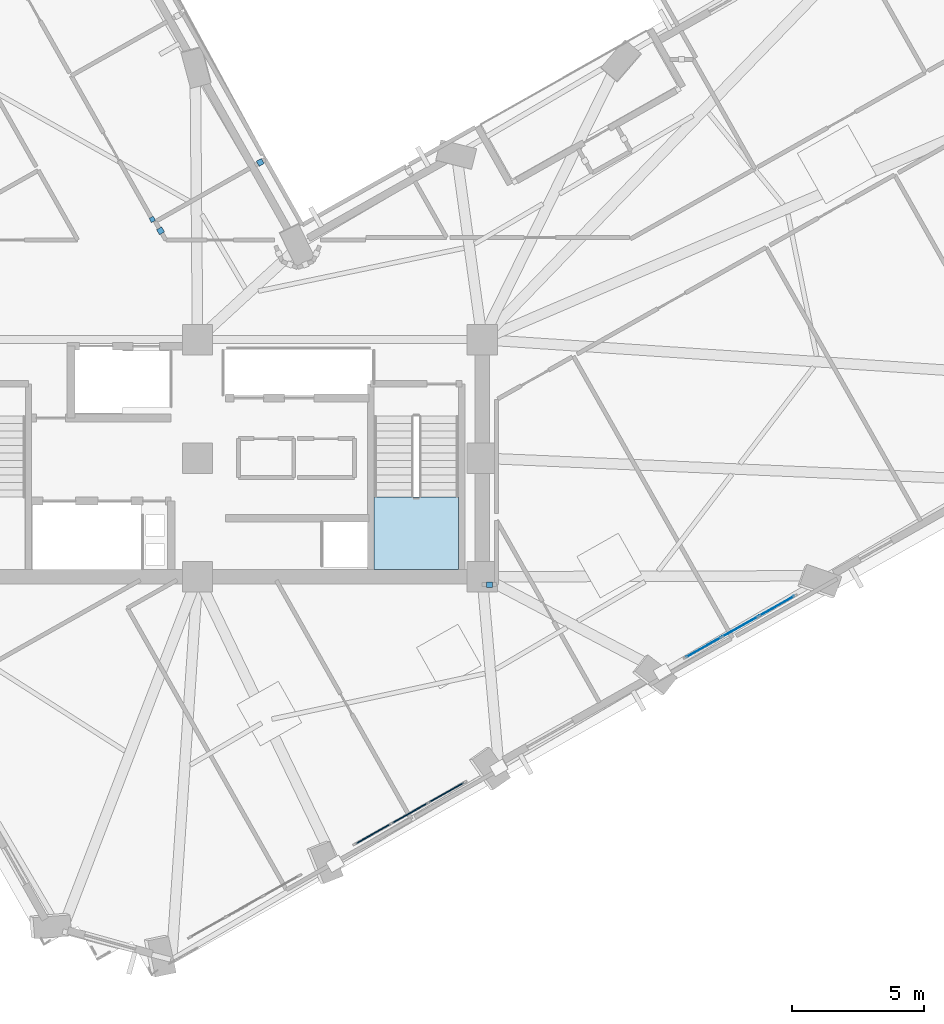
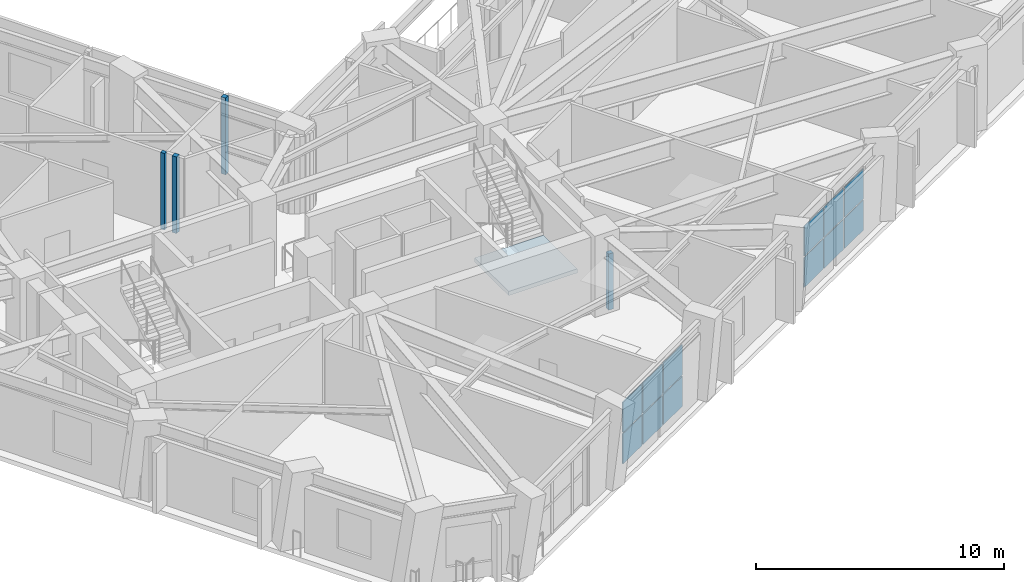
# One storey, part 6 of 18: 16 plates, 1 slab, 3 elements without a shape of their own.
"""IFC4 building model written with IfcOpenShell, lengths in metres."""

from ifc_helpers import new_model, si_unit, direction, frame, origin, origin_2d, place, context, subcontext, project, spatial, polyline, rectangle, outline, extrude, material, layer, layer_set, type_object, element, aggregate, save


model = new_model("IFC4")

# Units and contexts
model_context = context("Model", 3, precision=1e-05, world=origin(), true_north=direction((0.0, 1.0)))
body_context = subcontext(model_context, "Body", "Model", "MODEL_VIEW")
ifc_project = project(units=[si_unit("LENGTHUNIT", "METRE"), si_unit("AREAUNIT", "SQUARE_METRE"), si_unit("VOLUMEUNIT", "CUBIC_METRE"), si_unit("PLANEANGLEUNIT", "RADIAN"), si_unit("MASSUNIT", "GRAM", prefix="KILO")], contexts=[model_context])

# Site, building, storey
site_placement = place(None, origin())
site = spatial("IfcSite", under=ifc_project, at=site_placement, CompositionType="ELEMENT")
building_placement = place(site_placement, origin())
building = spatial("IfcBuilding", under=site, at=building_placement, Name="Gaonmaruhae Medical Tower", CompositionType="ELEMENT")
storey_placement = place(building_placement, frame((0.0, 0.0, 149.800048828125)))
storey = spatial("IfcBuildingStorey", under=building, at=storey_placement, Name="L35", CompositionType="ELEMENT", Elevation=149.800048828125)

# Curtain wall, plates
ifc_material_1 = material(Name="Anodised aluminium and Low-E double glazing", Category="aluminium")
curtain_wall_type_1 = type_object("IfcCurtainWallType", Name="CW-S3 Spiralling Dayroom Ribbon Curtain Wall", PredefinedType="NOTDEFINED", material=ifc_material_1)
curtain_wall_1_placement = place(storey_placement, origin())
curtain_wall_1 = element("IfcCurtainWall", 1, at=curtain_wall_1_placement, inside=storey, type_object=curtain_wall_type_1, Name="L35 Curtain Wall CW-L35-S02", PredefinedType="NOTDEFINED")
ifc_material_2 = material(Name="Insulated fritted spandrel glass", Category="glass")
ifc_layer_1 = layer(ifc_material_2, 0.0439453125)
ifc_layer_set_1 = layer_set([ifc_layer_1], Name="Insulated fritted spandrel glass")
plate_type_1 = type_object("IfcPlateType", Name="CWP-S1 Insulated Fritted Spandrel Panel", PredefinedType="CURTAIN_PANEL", material=ifc_layer_set_1)
plate_1_placement = place(storey_placement, frame((34.24609375, -0.386962890625, 0.06494140625), z_axis=(0.0, 0.0, 1.0), x_axis=(-0.870785631917, -0.491662875604, 0.0)))
plate_1 = element("IfcPlate", 2, at=plate_1_placement, type_object=plate_type_1, Name="CW-S3 panel 1.1", PredefinedType="CURTAIN_PANEL", context=body_context, shape_type="SweptSolid", body=[
    extrude(rectangle(XDim=1.51513671875, YDim=0.0439453125, at=origin_2d()), origin(), (0.0, 0.0, 1.0), 1.485107421875),
])
plate_2_placement = place(storey_placement, frame((34.24609375, -0.386962890625, 1.61474609375), z_axis=(0.0, 0.0, 1.0), x_axis=(-0.870785631917, -0.491662875604, 0.0)))
plate_2 = element("IfcPlate", 3, at=plate_2_placement, type_object=plate_type_1, Name="CW-S3 panel 1.2", PredefinedType="CURTAIN_PANEL", context=body_context, shape_type="SweptSolid", body=[
    extrude(rectangle(XDim=1.51513671875, YDim=0.0439453125, at=origin_2d()), origin(), (0.0, 0.0, 1.0), 1.485107421875),
])
plate_3_placement = place(storey_placement, frame((32.85595703125, -1.171875, 0.06494140625), z_axis=(0.0, 0.0, 1.0), x_axis=(-0.870785631917, -0.491662875604, 0.0)))
plate_3 = element("IfcPlate", 4, at=plate_3_placement, type_object=plate_type_1, Name="CW-S3 panel 2.1", PredefinedType="CURTAIN_PANEL", context=body_context, shape_type="SweptSolid", body=[
    extrude(rectangle(XDim=1.5478515625, YDim=0.0439453125, at=origin_2d()), origin(), (0.0, 0.0, 1.0), 1.485107421875),
])
plate_4_placement = place(storey_placement, frame((32.85595703125, -1.171875, 1.61474609375), z_axis=(0.0, 0.0, 1.0), x_axis=(-0.870785631917, -0.491662875604, 0.0)))
plate_4 = element("IfcPlate", 5, at=plate_4_placement, type_object=plate_type_1, Name="CW-S3 panel 2.2", PredefinedType="CURTAIN_PANEL", context=body_context, shape_type="SweptSolid", body=[
    extrude(rectangle(XDim=1.5478515625, YDim=0.0439453125, at=origin_2d()), origin(), (0.0, 0.0, 1.0), 1.485107421875),
])
plate_5_placement = place(storey_placement, frame((31.465576171875, -1.956787109375, 0.06494140625), z_axis=(0.0, 0.0, 1.0), x_axis=(-0.870785631917, -0.491662875604, 0.0)))
plate_5 = element("IfcPlate", 6, at=plate_5_placement, type_object=plate_type_1, Name="CW-S3 panel 3.1", PredefinedType="CURTAIN_PANEL", context=body_context, shape_type="SweptSolid", body=[
    extrude(rectangle(XDim=1.51513671875, YDim=0.0439453125, at=origin_2d()), origin(), (0.0, 0.0, 1.0), 1.485107421875),
])
plate_6_placement = place(storey_placement, frame((31.465576171875, -1.956787109375, 1.61474609375), z_axis=(0.0, 0.0, 1.0), x_axis=(-0.870785631917, -0.491662875604, 0.0)))
plate_6 = element("IfcPlate", 7, at=plate_6_placement, type_object=plate_type_1, Name="CW-S3 panel 3.2", PredefinedType="CURTAIN_PANEL", context=body_context, shape_type="SweptSolid", body=[
    extrude(rectangle(XDim=1.51513671875, YDim=0.0439453125, at=origin_2d()), origin(), (0.0, 0.0, 1.0), 1.485107421875),
])
aggregate(curtain_wall_1, [plate_1, plate_2, plate_3, plate_4, plate_5, plate_6])

curtain_wall_type_2 = type_object("IfcCurtainWallType", Name="CW-S4 Setback Sky Garden Wintergarden Curtain Wall", PredefinedType="NOTDEFINED", material=ifc_material_1)
curtain_wall_2_placement = place(storey_placement, origin())
curtain_wall_2 = element("IfcCurtainWall", 8, at=curtain_wall_2_placement, inside=storey, type_object=curtain_wall_type_2, Name="L35 Curtain Wall CW-L35-S04", PredefinedType="NOTDEFINED")
ifc_material_3 = material(Name="Low-E double solar glass", Category="glass")
ifc_layer_2 = layer(ifc_material_3, 0.028076171875)
ifc_layer_set_2 = layer_set([ifc_layer_2], Name="Low-E double solar glass")
plate_type_2 = type_object("IfcPlateType", Name="CWP-V1 Low-E Double Vision Glazing Panel", PredefinedType="CURTAIN_PANEL", material=ifc_layer_set_2)
plate_7_placement = place(storey_placement, frame((46.7841796875, 6.6923828125, 0.06494140625), z_axis=(0.0, 0.0, 1.0), x_axis=(-0.870782258437, -0.491668850336, 0.0)))
plate_7 = element("IfcPlate", 9, at=plate_7_placement, type_object=plate_type_2, Name="CW-S4 panel 1.1", PredefinedType="CURTAIN_PANEL", context=body_context, shape_type="SweptSolid", body=[
    extrude(rectangle(XDim=1.51171875, YDim=0.028076171875, at=origin_2d()), origin(), (0.0, 0.0, 1.0), 1.485107421875),
])
plate_8_placement = place(storey_placement, frame((46.7841796875, 6.6923828125, 1.61474609375), z_axis=(0.0, 0.0, 1.0), x_axis=(-0.870782258437, -0.491668850336, 0.0)))
plate_8 = element("IfcPlate", 10, at=plate_8_placement, type_object=plate_type_2, Name="CW-S4 panel 1.2", PredefinedType="CURTAIN_PANEL", context=body_context, shape_type="SweptSolid", body=[
    extrude(rectangle(XDim=1.51171875, YDim=0.028076171875, at=origin_2d()), origin(), (0.0, 0.0, 1.0), 1.485107421875),
])
plate_9_placement = place(storey_placement, frame((45.39697265625, 5.9091796875, 0.06494140625), z_axis=(0.0, 0.0, 1.0), x_axis=(-0.870782258437, -0.491668850336, 0.0)))
plate_9 = element("IfcPlate", 11, at=plate_9_placement, type_object=plate_type_2, Name="CW-S4 panel 2.1", PredefinedType="CURTAIN_PANEL", context=body_context, shape_type="SweptSolid", body=[
    extrude(rectangle(XDim=1.544189453125, YDim=0.028076171875, at=origin_2d()), origin(), (0.0, 0.0, 1.0), 1.485107421875),
])
plate_10_placement = place(storey_placement, frame((45.39697265625, 5.9091796875, 1.61474609375), z_axis=(0.0, 0.0, 1.0), x_axis=(-0.870782258437, -0.491668850336, 0.0)))
plate_10 = element("IfcPlate", 12, at=plate_10_placement, type_object=plate_type_2, Name="CW-S4 panel 2.2", PredefinedType="CURTAIN_PANEL", context=body_context, shape_type="SweptSolid", body=[
    extrude(rectangle(XDim=1.544189453125, YDim=0.028076171875, at=origin_2d()), origin(), (0.0, 0.0, 1.0), 1.485107421875),
])
plate_11_placement = place(storey_placement, frame((44.009765625, 5.1259765625, 0.06494140625), z_axis=(0.0, 0.0, 1.0), x_axis=(-0.870782258437, -0.491668850336, 0.0)))
plate_11 = element("IfcPlate", 13, at=plate_11_placement, type_object=plate_type_2, Name="CW-S4 panel 3.1", PredefinedType="CURTAIN_PANEL", context=body_context, shape_type="SweptSolid", body=[
    extrude(rectangle(XDim=1.51171875, YDim=0.028076171875, at=origin_2d()), origin(), (0.0, 0.0, 1.0), 1.485107421875),
])
plate_12_placement = place(storey_placement, frame((44.009765625, 5.1259765625, 1.61474609375), z_axis=(0.0, 0.0, 1.0), x_axis=(-0.870782258437, -0.491668850336, 0.0)))
plate_12 = element("IfcPlate", 14, at=plate_12_placement, type_object=plate_type_2, Name="CW-S4 panel 3.2", PredefinedType="CURTAIN_PANEL", context=body_context, shape_type="SweptSolid", body=[
    extrude(rectangle(XDim=1.51171875, YDim=0.028076171875, at=origin_2d()), origin(), (0.0, 0.0, 1.0), 1.485107421875),
])
aggregate(curtain_wall_2, [plate_7, plate_8, plate_9, plate_10, plate_11, plate_12])

# Plates
ifc_material_4 = material(Name="Anodised aluminium 6063-T6", Category="aluminium")
ifc_layer_3 = layer(ifc_material_4, 0.011962890625)
ifc_layer_set_3 = layer_set([ifc_layer_3], Name="Anodised aluminium 6063-T6")
plate_type_3 = type_object("IfcPlateType", Name="PP-01 Interior Partition Corner Stiffener Plate", PredefinedType="SHEET", material=ifc_layer_set_3)
plate_13_placement = place(storey_placement, frame((23.080322265625, 21.36328125, 0.0), z_axis=(0.0, 0.0, 1.0), x_axis=(-0.491694239905, 0.870767922264, 0.0)))
element("IfcPlate", 15, at=plate_13_placement, inside=storey, type_object=plate_type_3, Name="L35 Partition End Jamb Post Plate PLT-L35-ENDP-PW096-0", PredefinedType="SHEET", context=body_context, shape_type="SweptSolid", body=[
    extrude(rectangle(XDim=0.179931640625, YDim=0.179931640625, at=origin_2d()), origin(), (0.0, 0.0, 1.0), 3.780029296875),
])
plate_14_placement = place(storey_placement, frame((35.875, 7.5, 0.0), z_axis=(0.0, 0.0, 1.0), x_axis=(1.0, 0.0, 0.0)))
element("IfcPlate", 16, at=plate_14_placement, inside=storey, type_object=plate_type_3, Name="L35 Partition Corner Stiffener Plate PLT-L35-JGP-PW014", PredefinedType="SHEET", context=body_context, shape_type="SweptSolid", body=[
    extrude(rectangle(XDim=0.219970703125, YDim=0.219970703125, at=origin_2d()), origin(), (0.0, 0.0, 1.0), 2.764892578125),
])
for number, where, z_axis, x_axis, name in (
    (17, (23.39404296875, 20.929931640625, 0.0), (0.0, 0.0, 1.0), (-0.492377987711, 0.870381477984, 0.0), "L35 Partition Corner Stiffener Plate PLT-L35-JGP-PW069"),
    (18, (27.177978515625, 23.528076171875, 0.0), (0.0, 0.0, 1.0), (0.870218151407, 0.492666590061, 0.0), "L35 Partition Corner Stiffener Plate PLT-L35-JGP-PW071"),
):
    element("IfcPlate", number, at=place(storey_placement, frame(where, z_axis=z_axis, x_axis=x_axis)), inside=storey, type_object=plate_type_3, Name=name, PredefinedType="SHEET", context=body_context, shape_type="SweptSolid", body=[
        extrude(rectangle(XDim=0.219970703125, YDim=0.219970703125, at=origin_2d()), origin(), (0.0, 0.0, 1.0), 3.780029296875),
    ])

# Stair, slab
ifc_material_5 = material(Name="Concrete C40/50", Category="concrete")
stair_type = type_object("IfcStairType", Name="ST-T1 Primary Core Escape Dogleg Stair", PredefinedType="TWO_QUARTER_TURN_STAIR", material=ifc_material_5)
stair_placement = place(storey_placement, origin())
stair = element("IfcStair", 19, at=stair_placement, inside=storey, type_object=stair_type, Name="L35 Protected Escape Stair ST-02", PredefinedType="TWO_QUARTER_TURN_STAIR")
ifc_layer_4 = layer(ifc_material_5, 0.199951171875)
ifc_layer_set_4 = layer_set([ifc_layer_4], Name="Concrete C40/50")
slab_type = type_object("IfcSlabType", Name="SL-200 Stair & Ramp Intermediate Concrete Landing", PredefinedType="LANDING", material=ifc_layer_set_4)
slab_placement = place(storey_placement, frame((0.0, 0.0, 1.800048828125)))
slab = element("IfcSlab", 20, at=slab_placement, type_object=slab_type, Name="ST-02 landing 1", PredefinedType="LANDING", context=body_context, shape_type="SweptSolid", body=[
    extrude(outline(polyline([(31.5, 10.820068359375), (31.5, 8.0791015625), (34.699951171875, 8.0791015625), (34.699951171875, 10.820068359375), (31.5, 10.820068359375)])), origin(), (0.0, 0.0, 1.0), 0.199951171875),
])
aggregate(stair, [slab])

save(model, "model.ifc")
